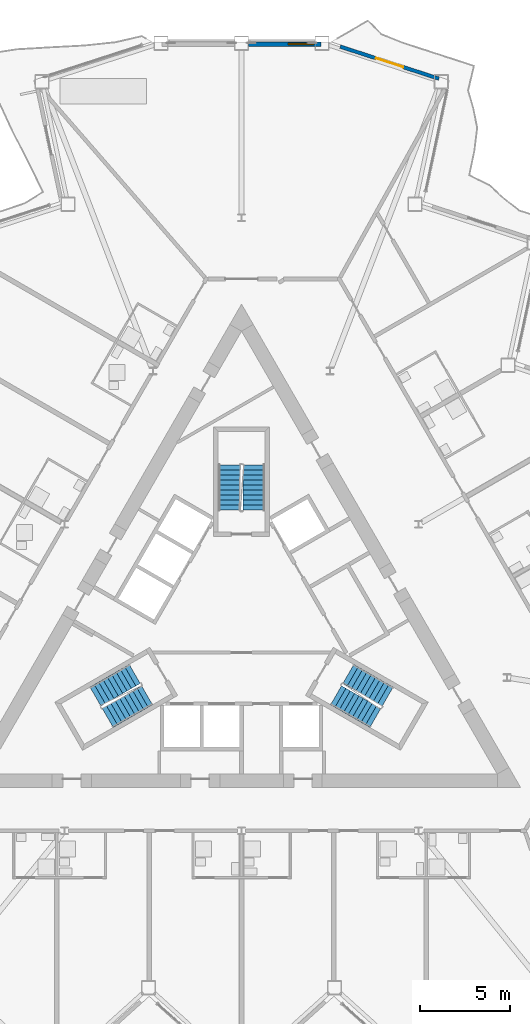
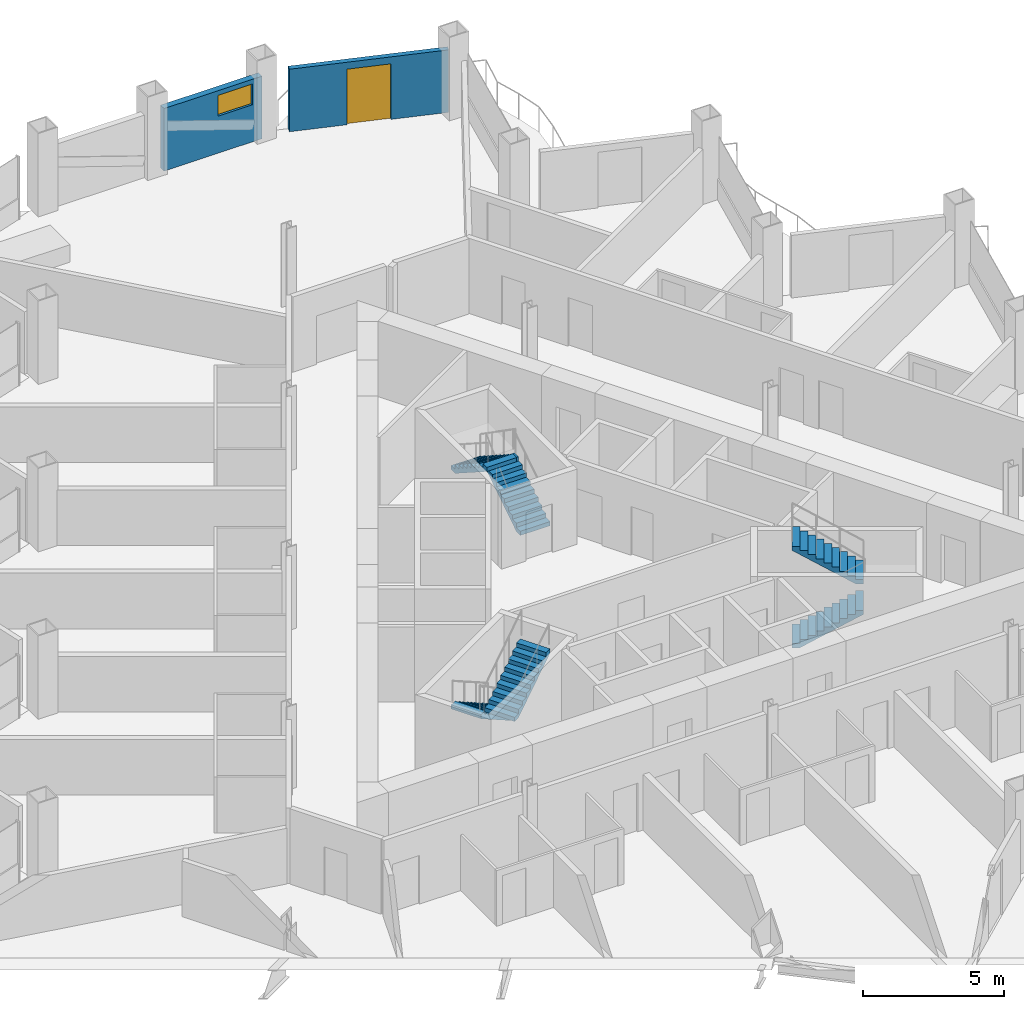
# One storey, part 15 of 23: 6 stair flights, 2 walls, 1 door, 1 window, 2 openings, 3 elements without a shape of their own.
"""IFC4 building model written with IfcOpenShell, lengths in metres."""

from ifc_helpers import new_model, si_unit, direction, frame, frame_2d, origin, place, context, subcontext, project, spatial, polyline, rectangle, outline, extrude, material, layer, layer_set, type_object, element, fill, aggregate, save


model = new_model("IFC4")

# Units and contexts
model_context = context("Model", 3, precision=1e-05, world=origin(), true_north=direction((0.0, 1.0)))
body_context = subcontext(model_context, "Body", "Model", "MODEL_VIEW")
ifc_project = project(units=[si_unit("LENGTHUNIT", "METRE"), si_unit("AREAUNIT", "SQUARE_METRE"), si_unit("VOLUMEUNIT", "CUBIC_METRE"), si_unit("PLANEANGLEUNIT", "RADIAN"), si_unit("MASSUNIT", "GRAM", prefix="KILO")], contexts=[model_context])

# Site, building, storey
site_placement = place(None, origin())
site = spatial("IfcSite", under=ifc_project, at=site_placement, CompositionType="ELEMENT")
building_placement = place(site_placement, origin())
building = spatial("IfcBuilding", under=site, at=building_placement, Name="Cormorant Prow Tower", CompositionType="ELEMENT")
storey_placement = place(building_placement, frame((0.0, 0.0, 183.60009765625)))
storey = spatial("IfcBuildingStorey", under=building, at=storey_placement, Name="L39", CompositionType="ELEMENT", Elevation=183.60009765625)

# Wall, opening, window
ifc_material_1 = material(Name="Terracotta", Category="masonry")
ifc_layer_1 = layer(ifc_material_1, 0.25)
ifc_layer_set_1 = layer_set([ifc_layer_1], Name="Terracotta")
wall_type_1 = type_object("IfcWallType", Name="Terracotta bay wall 250", PredefinedType="SOLIDWALL", material=ifc_layer_set_1)
wall_1_placement = place(storey_placement, frame((4.40380859375, 32.346923828125, 0.0), z_axis=(0.0, 0.0, 1.0), x_axis=(-1.0, 0.0, 0.0)))
wall_1 = element("IfcWall", 1, at=wall_1_placement, inside=storey, type_object=wall_type_1, Name="Terracotta bay wall N00", PredefinedType="SOLIDWALL", context=body_context, shape_type="SweptSolid", body=[
    extrude(rectangle(XDim=4.00390625, YDim=0.25, at=frame_2d((2.001953125, 0.0))), origin(), (0.0, 0.0, 1.0), 2.70068359375),
])
opening_1_placement = place(wall_1_placement, frame((0.39990234375, 0.0, 1.60009765625)))
opening_1 = element("IfcOpeningElement", 2, at=opening_1_placement, cuts=wall_1, Name="Opening WN5", PredefinedType="OPENING", context=body_context, shape_type="SweptSolid", body=[
    extrude(rectangle(XDim=1.39990234375, YDim=0.89990234375, at=frame_2d((0.699951171875, 0.449951171875))), frame((0.0, 0.135009765625, 0.0), z_axis=(0.0, -1.0, 0.0), x_axis=(1.0, 0.0, 0.0)), (0.0, 0.0, 1.0), 0.27001953125),
])
ifc_material_2 = material(Name="Aluminium 6063-T6", Category="aluminium")
window_type = type_object("IfcWindowType", Name="Corner bay window 1400x900", PartitioningType="SINGLE_PANEL", PredefinedType="WINDOW", material=ifc_material_2)
window_placement = place(opening_1_placement, origin())
window = element("IfcWindow", 3, at=window_placement, inside=storey, type_object=window_type, Name="Corner bay window N00", OverallHeight=0.89990234375, OverallWidth=1.39990234375, PartitioningType="SINGLE_PANEL", PredefinedType="WINDOW", context=body_context, shape_type="SweptSolid", body=[
    extrude(rectangle(XDim=1.39990234375, YDim=0.89990234375, at=frame_2d((0.699951171875, 0.449951171875))), frame((0.0, 0.030029296875, 0.0), z_axis=(0.0, -1.0, 0.0), x_axis=(1.0, 0.0, 0.0)), (0.0, 0.0, 1.0), 0.06005859375),
])
fill(opening_1, window)

# Wall, opening, door
ifc_material_3 = material(Name="Terracotta", Category="masonry")
ifc_layer_2 = layer(ifc_material_3, 0.199951171875)
ifc_layer_set_2 = layer_set([ifc_layer_2], Name="Terracotta")
wall_type_2 = type_object("IfcWallType", Name="Terracotta jamb wall 200", PredefinedType="SOLIDWALL", material=ifc_layer_set_2)
wall_2_placement = place(storey_placement, frame((10.962158203125, 30.42041015625, 0.0), z_axis=(0.0, 0.0, 1.0), x_axis=(-0.951062083689, 0.308999859173, 0.0)))
wall_2 = element("IfcWall", 4, at=wall_2_placement, inside=storey, type_object=wall_type_2, Name="Terracotta jamb wall ENE09", PredefinedType="SOLIDWALL", context=body_context, shape_type="SweptSolid", body=[
    extrude(rectangle(XDim=5.762939453125, YDim=0.199951171875, at=frame_2d((2.88134765625, 0.0))), origin(), (0.0, 0.0, 1.0), 2.70068359375),
])
opening_2_placement = place(wall_2_placement, frame((2.08154296875, 0.0, 0.0)))
opening_2 = element("IfcOpeningElement", 5, at=opening_2_placement, cuts=wall_2, Name="Opening ED39.10", PredefinedType="OPENING", context=body_context, shape_type="SweptSolid", body=[
    extrude(rectangle(XDim=1.60009765625, YDim=2.39990234375, at=frame_2d((0.800048828125, 1.199951171875))), frame((0.0, 0.10986328125, 0.0), z_axis=(0.0, -1.0, 0.0), x_axis=(1.0, 0.0, 0.0)), (0.0, 0.0, 1.0), 0.219970703125),
])
ifc_material_4 = material(Name="Aluminium 6063-T6", Category="aluminium")
door_type = type_object("IfcDoorType", Name="Balcony door 1600x2400", OperationType="DOUBLE_DOOR_SINGLE_SWING", PredefinedType="DOOR", material=ifc_material_4)
door_placement = place(opening_2_placement, origin())
door = element("IfcDoor", 6, at=door_placement, inside=storey, type_object=door_type, Name="Balcony door ENE09 ED39.10", OperationType="DOUBLE_DOOR_SINGLE_SWING", OverallHeight=2.39990234375, OverallWidth=1.60009765625, PredefinedType="DOOR", context=body_context, shape_type="SweptSolid", body=[
    extrude(rectangle(XDim=1.60009765625, YDim=2.39990234375, at=frame_2d((0.800048828125, 1.199951171875))), frame((0.0, 0.02490234375, 0.0), z_axis=(0.0, -1.0, 0.0), x_axis=(1.0, 0.0, 0.0)), (0.0, 0.0, 1.0), 0.050048828125),
])
fill(opening_2, door)

# Stair, stair flights
ifc_material_5 = material(Name="Exit stair 20 risers")
stair_type = type_object("IfcStairType", Name="Exit stair 20 risers", PredefinedType="HALF_TURN_STAIR", material=ifc_material_5)
stair_1_placement = place(storey_placement, origin())
stair_1 = element("IfcStair", 7, at=stair_1_placement, inside=storey, type_object=stair_type, Name="L39 Exit stair ST1", PredefinedType="HALF_TURN_STAIR")
ifc_material_6 = material(Name="Concrete 5000 psi", Category="concrete")
stair_flight_type = type_object("IfcStairFlightType", Name="Stair flight 1219", PredefinedType="STRAIGHT", material=ifc_material_6)
stair_flight_1_placement = place(storey_placement, frame((-5.93310546875, -2.635009765625, 0.0), z_axis=(0.0, 0.0, 1.0), x_axis=(-0.866025403784, -0.5, 0.0)))
stair_flight_1 = element("IfcStairFlight", 8, at=stair_flight_1_placement, type_object=stair_flight_type, Name="ST1 flight 1", NumberOfRisers=10, NumberOfTreads=9, PredefinedType="STRAIGHT", RiserHeight=0.18, TreadLength=0.28, context=body_context, shape_type="SweptSolid", body=[
    extrude(outline(polyline([(0.0, 0.0), (0.0, 0.179931640625), (0.280029296875, 0.179931640625), (0.280029296875, 0.360107421875), (0.56005859375, 0.360107421875), (0.56005859375, 0.5400390625), (0.840087890625, 0.5400390625), (0.840087890625, 0.719970703125), (1.1201171875, 0.719970703125), (1.1201171875, 0.89990234375), (1.39990234375, 0.89990234375), (1.39990234375, 1.080078125), (1.679931640625, 1.080078125), (1.679931640625, 1.260009765625), (1.9599609375, 1.260009765625), (1.9599609375, 1.43994140625), (2.239990234375, 1.43994140625), (2.239990234375, 1.6201171875), (2.52001953125, 1.6201171875), (2.52001953125, 1.800048828125), (2.52001953125, 1.44189453125), (0.277099609375, 0.0), (0.0, 0.0)])), frame((0.0, 0.609375, 0.0), z_axis=(0.0, -1.0, 0.0), x_axis=(1.0, 0.0, 0.0)), (0.0, 0.0, 1.0), 1.218994140625),
])
stair_flight_2_placement = place(storey_placement, frame((-7.43115234375, -5.080810546875, 1.7998046875), z_axis=(0.0, 0.0, 1.0), x_axis=(0.866025403784, 0.5, 0.0)))
stair_flight_2 = element("IfcStairFlight", 9, at=stair_flight_2_placement, type_object=stair_flight_type, Name="ST1 flight 2", NumberOfRisers=10, NumberOfTreads=9, PredefinedType="STRAIGHT", RiserHeight=0.18, TreadLength=0.28, context=body_context, shape_type="SweptSolid", body=[
    extrude(outline(polyline([(0.0, 0.0), (0.0, 0.179931640625), (0.280029296875, 0.179931640625), (0.280029296875, 0.360107421875), (0.56005859375, 0.360107421875), (0.56005859375, 0.5400390625), (0.840087890625, 0.5400390625), (0.840087890625, 0.719970703125), (1.1201171875, 0.719970703125), (1.1201171875, 0.89990234375), (1.39990234375, 0.89990234375), (1.39990234375, 1.080078125), (1.679931640625, 1.080078125), (1.679931640625, 1.260009765625), (1.9599609375, 1.260009765625), (1.9599609375, 1.43994140625), (2.239990234375, 1.43994140625), (2.239990234375, 1.6201171875), (2.52001953125, 1.6201171875), (2.52001953125, 1.800048828125), (2.52001953125, 1.44189453125), (0.277099609375, 0.0), (0.0, 0.0)])), frame((0.0, 0.609375, 0.0), z_axis=(0.0, -1.0, 0.0), x_axis=(1.0, 0.0, 0.0)), (0.0, 0.0, 1.0), 1.218994140625),
])
aggregate(stair_1, [stair_flight_1, stair_flight_2])

stair_2_placement = place(storey_placement, origin())
stair_2 = element("IfcStair", 10, at=stair_2_placement, inside=storey, type_object=stair_type, Name="L39 Exit stair ST2", PredefinedType="HALF_TURN_STAIR")
stair_flight_3_placement = place(storey_placement, frame((5.24853515625, -3.82080078125, 0.0), z_axis=(0.0, 0.0, 1.0), x_axis=(0.866025403784, -0.5, 0.0)))
stair_flight_3 = element("IfcStairFlight", 11, at=stair_flight_3_placement, type_object=stair_flight_type, Name="ST2 flight 1", NumberOfRisers=10, NumberOfTreads=9, PredefinedType="STRAIGHT", RiserHeight=0.18, TreadLength=0.28, context=body_context, shape_type="SweptSolid", body=[
    extrude(outline(polyline([(0.0, 0.0), (0.0, 0.179931640625), (0.280029296875, 0.179931640625), (0.280029296875, 0.360107421875), (0.56005859375, 0.360107421875), (0.56005859375, 0.5400390625), (0.840087890625, 0.5400390625), (0.840087890625, 0.719970703125), (1.1201171875, 0.719970703125), (1.1201171875, 0.89990234375), (1.39990234375, 0.89990234375), (1.39990234375, 1.080078125), (1.679931640625, 1.080078125), (1.679931640625, 1.260009765625), (1.9599609375, 1.260009765625), (1.9599609375, 1.43994140625), (2.239990234375, 1.43994140625), (2.239990234375, 1.6201171875), (2.52001953125, 1.6201171875), (2.52001953125, 1.800048828125), (2.52001953125, 1.44189453125), (0.277099609375, 0.0), (0.0, 0.0)])), frame((0.0, 0.609375, 0.0), z_axis=(0.0, -1.0, 0.0), x_axis=(1.0, 0.0, 0.0)), (0.0, 0.0, 1.0), 1.218994140625),
])
stair_flight_4_placement = place(storey_placement, frame((8.115478515625, -3.89501953125, 1.7998046875), z_axis=(0.0, 0.0, 1.0), x_axis=(-0.866025403784, 0.5, 0.0)))
stair_flight_4 = element("IfcStairFlight", 12, at=stair_flight_4_placement, type_object=stair_flight_type, Name="ST2 flight 2", NumberOfRisers=10, NumberOfTreads=9, PredefinedType="STRAIGHT", RiserHeight=0.18, TreadLength=0.28, context=body_context, shape_type="SweptSolid", body=[
    extrude(outline(polyline([(0.0, 0.0), (0.0, 0.179931640625), (0.280029296875, 0.179931640625), (0.280029296875, 0.360107421875), (0.56005859375, 0.360107421875), (0.56005859375, 0.5400390625), (0.840087890625, 0.5400390625), (0.840087890625, 0.719970703125), (1.1201171875, 0.719970703125), (1.1201171875, 0.89990234375), (1.39990234375, 0.89990234375), (1.39990234375, 1.080078125), (1.679931640625, 1.080078125), (1.679931640625, 1.260009765625), (1.9599609375, 1.260009765625), (1.9599609375, 1.43994140625), (2.239990234375, 1.43994140625), (2.239990234375, 1.6201171875), (2.52001953125, 1.6201171875), (2.52001953125, 1.800048828125), (2.52001953125, 1.44189453125), (0.277099609375, 0.0), (0.0, 0.0)])), frame((0.0, 0.609375, 0.0), z_axis=(0.0, -1.0, 0.0), x_axis=(1.0, 0.0, 0.0)), (0.0, 0.0, 1.0), 1.218994140625),
])
aggregate(stair_2, [stair_flight_3, stair_flight_4])

stair_3_placement = place(storey_placement, origin())
stair_3 = element("IfcStair", 13, at=stair_3_placement, inside=storey, type_object=stair_type, Name="L39 Exit stair ST3", PredefinedType="HALF_TURN_STAIR")
stair_flight_5_placement = place(storey_placement, frame((0.6845703125, 6.455810546875, 0.0), z_axis=(0.0, 0.0, 1.0), x_axis=(0.0, 1.0, 0.0)))
stair_flight_5 = element("IfcStairFlight", 14, at=stair_flight_5_placement, type_object=stair_flight_type, Name="ST3 flight 1", NumberOfRisers=10, NumberOfTreads=9, PredefinedType="STRAIGHT", RiserHeight=0.18, TreadLength=0.28, context=body_context, shape_type="SweptSolid", body=[
    extrude(outline(polyline([(0.0, 0.0), (0.0, 0.179931640625), (0.280029296875, 0.179931640625), (0.280029296875, 0.360107421875), (0.56005859375, 0.360107421875), (0.56005859375, 0.5400390625), (0.840087890625, 0.5400390625), (0.840087890625, 0.719970703125), (1.1201171875, 0.719970703125), (1.1201171875, 0.89990234375), (1.39990234375, 0.89990234375), (1.39990234375, 1.080078125), (1.679931640625, 1.080078125), (1.679931640625, 1.260009765625), (1.9599609375, 1.260009765625), (1.9599609375, 1.43994140625), (2.239990234375, 1.43994140625), (2.239990234375, 1.6201171875), (2.52001953125, 1.6201171875), (2.52001953125, 1.800048828125), (2.52001953125, 1.44189453125), (0.277099609375, 0.0), (0.0, 0.0)])), frame((0.0, 0.609375, 0.0), z_axis=(0.0, -1.0, 0.0), x_axis=(1.0, 0.0, 0.0)), (0.0, 0.0, 1.0), 1.218994140625),
])
stair_flight_6_placement = place(storey_placement, frame((-0.6845703125, 8.975830078125, 1.7998046875), z_axis=(0.0, 0.0, 1.0), x_axis=(0.0, -1.0, 0.0)))
stair_flight_6 = element("IfcStairFlight", 15, at=stair_flight_6_placement, type_object=stair_flight_type, Name="ST3 flight 2", NumberOfRisers=10, NumberOfTreads=9, PredefinedType="STRAIGHT", RiserHeight=0.18, TreadLength=0.28, context=body_context, shape_type="SweptSolid", body=[
    extrude(outline(polyline([(0.0, 0.0), (0.0, 0.179931640625), (0.280029296875, 0.179931640625), (0.280029296875, 0.360107421875), (0.56005859375, 0.360107421875), (0.56005859375, 0.5400390625), (0.840087890625, 0.5400390625), (0.840087890625, 0.719970703125), (1.1201171875, 0.719970703125), (1.1201171875, 0.89990234375), (1.39990234375, 0.89990234375), (1.39990234375, 1.080078125), (1.679931640625, 1.080078125), (1.679931640625, 1.260009765625), (1.9599609375, 1.260009765625), (1.9599609375, 1.43994140625), (2.239990234375, 1.43994140625), (2.239990234375, 1.6201171875), (2.52001953125, 1.6201171875), (2.52001953125, 1.800048828125), (2.52001953125, 1.44189453125), (0.277099609375, 0.0), (0.0, 0.0)])), frame((0.0, 0.609375, 0.0), z_axis=(0.0, -1.0, 0.0), x_axis=(1.0, 0.0, 0.0)), (0.0, 0.0, 1.0), 1.218994140625),
])
aggregate(stair_3, [stair_flight_5, stair_flight_6])

save(model, "model.ifc")
